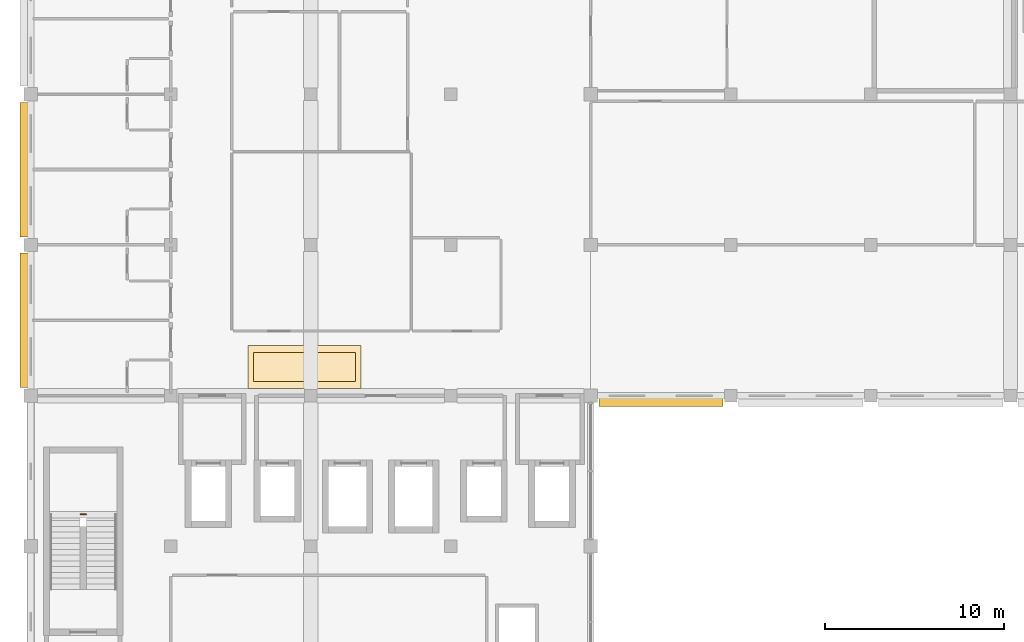
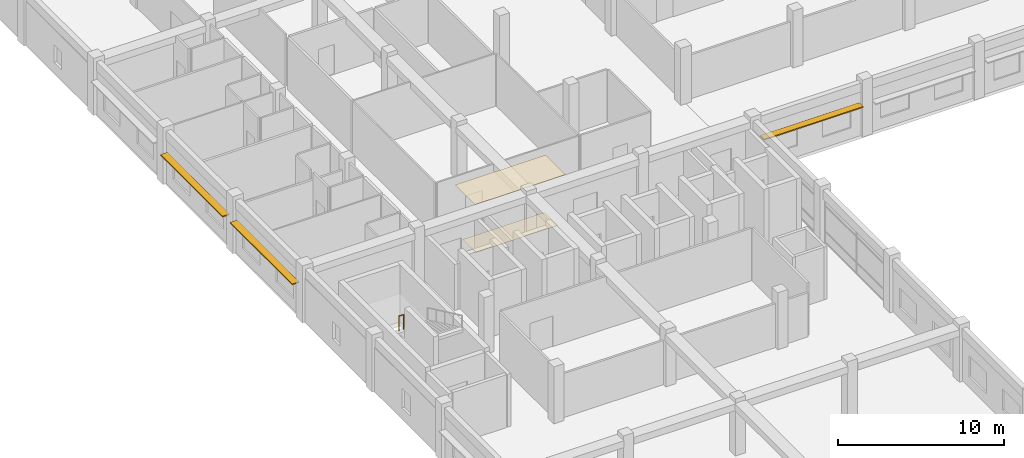
# One storey, part 46 of 53: 3 shading devices, 2 coverings, 1 railing.
"""IFC4 building model written with IfcOpenShell, lengths in metres."""

from ifc_helpers import new_model, si_unit, direction, frame, origin, origin_2d, place, context, subcontext, project, spatial, polyline, rectangle, circle, outline, extrude, material, layer, layer_set, type_object, element, save


model = new_model("IFC4")

# Units and contexts
model_context = context("Model", 3, precision=1e-05, world=origin(), true_north=direction((0.0, 1.0)))
body_context = subcontext(model_context, "Body", "Model", "MODEL_VIEW")
ifc_project = project(units=[si_unit("LENGTHUNIT", "METRE"), si_unit("AREAUNIT", "SQUARE_METRE"), si_unit("VOLUMEUNIT", "CUBIC_METRE"), si_unit("PLANEANGLEUNIT", "RADIAN"), si_unit("MASSUNIT", "GRAM", prefix="KILO"), si_unit("THERMODYNAMICTEMPERATUREUNIT", "KELVIN"), si_unit("POWERUNIT", "WATT")], contexts=[model_context])

# Site, building, storey
site_placement = place(None, origin())
site = spatial("IfcSite", under=ifc_project, at=site_placement, CompositionType="ELEMENT")
building_placement = place(site_placement, origin())
building = spatial("IfcBuilding", under=site, at=building_placement, Name="Srebrne Nadtorze General Hospital", CompositionType="ELEMENT")
storey_placement = place(building_placement, frame((0.0, 0.0, 18.0)))
storey = spatial("IfcBuildingStorey", under=building, at=storey_placement, Name="L04", CompositionType="ELEMENT", Elevation=18.0)

# Covering
ifc_material_1 = material(Name="Medical Vinyl Flooring")
ifc_layer_1 = layer(ifc_material_1, 0.006103515625)
ifc_layer_set_1 = layer_set([ifc_layer_1], Name="Medical Vinyl Flooring")
covering_type_1 = type_object("IfcCoveringType", Name="Antistatic medical vinyl flooring", PredefinedType="FLOORING", material=ifc_layer_set_1)
covering_1_placement = place(storey_placement, origin())
element("IfcCovering", 1, at=covering_1_placement, inside=storey, type_object=covering_type_1, Name="Medical vinyl flooring L04", PredefinedType="FLOORING", context=body_context, shape_type="SweptSolid", body=[
    extrude(outline(polyline([(35.800048828125, 51.199951171875), (41.5, 51.199951171875), (41.5, 52.800048828125), (35.800048828125, 52.800048828125), (35.800048828125, 51.199951171875)])), origin(), (0.0, 0.0, 1.0), 0.006103515625),
])

# Shading devices
ifc_material_2 = material(Name="Anodised Aluminium", Category="aluminium")
ifc_layer_2 = layer(ifc_material_2, 0.080078125)
ifc_layer_set_2 = layer_set([ifc_layer_2], Name="Anodised Aluminium")
shading_device_type = type_object("IfcShadingDeviceType", Name="Hisashi horizontal aluminium sunshade", PredefinedType="JALOUSIE", material=ifc_layer_set_2)
shading_device_placement = place(storey_placement, frame((58.512451171875, 50.0400390625, 2.369873046875), z_axis=(0.0, 0.0, 1.0), x_axis=(1.0, 0.0, 0.0)))
element("IfcShadingDevice", 2, at=shading_device_placement, inside=storey, type_object=shading_device_type, Name="Hisashi horizontal sunshade eave LV-263", PredefinedType="JALOUSIE", context=body_context, shape_type="SweptSolid", body=[
    extrude(rectangle(XDim=6.9150390625, YDim=0.47998046875, at=origin_2d()), origin(), (0.0, 0.0, 1.0), 0.080078125),
])
for number, where, z_axis, x_axis, name in (
    (3, (23.0400390625, 54.60009765625, 2.369873046875), (0.0, 0.0, 1.0), (1.0, 0.0, 0.0), "Hisashi horizontal sunshade eave LV-272"),
    (4, (23.0400390625, 63.0, 2.27001953125), (0.0, 0.0, 1.0), (1.0, 0.0, 0.0), "Hisashi horizontal sunshade eave LV-273"),
):
    element("IfcShadingDevice", number, at=place(storey_placement, frame(where, z_axis=z_axis, x_axis=x_axis)), inside=storey, type_object=shading_device_type, Name=name, PredefinedType="JALOUSIE", context=body_context, shape_type="SweptSolid", body=[
        extrude(rectangle(XDim=0.47998046875, YDim=7.489990234375, at=origin_2d()), origin(), (0.0, 0.0, 1.0), 0.080078125),
    ])

# Covering
ifc_material_3 = material(Name="Acoustic Mineral Ceiling")
ifc_layer_3 = layer(ifc_material_3, 0.014892578125)
ifc_layer_set_3 = layer_set([ifc_layer_3], Name="Acoustic Mineral Ceiling")
covering_type_2 = type_object("IfcCoveringType", Name="Hygienic acoustic ceiling tile", PredefinedType="CEILING", material=ifc_layer_set_3)
covering_2_placement = place(storey_placement, frame((0.0, 0.0, 3.8701171875)))
element("IfcCovering", 5, at=covering_2_placement, inside=storey, type_object=covering_type_2, Name="Acoustic ceiling L04", PredefinedType="CEILING", context=body_context, shape_type="SweptSolid", body=[
    extrude(outline(polyline([(35.5, 50.800048828125), (41.800048828125, 50.800048828125), (41.800048828125, 53.199951171875), (35.5, 53.199951171875), (35.5, 50.800048828125)])), origin(), (0.0, 0.0, 1.0), 0.014892578125),
])

# Railing
ifc_material_4 = material(Name="Stainless Steel 316", Category="steel")
railing_type = type_object("IfcRailingType", Name="Stairwell safety guard 1120", PredefinedType="BALUSTRADE", material=ifc_material_4)
railing_placement = place(storey_placement, frame((26.1650390625, 43.800048828125, 2.10009765625)))
element("IfcRailing", 6, at=railing_placement, inside=storey, type_object=railing_type, Name="Half landing well guard ST-01-L04", PredefinedType="BALUSTRADE", context=body_context, shape_type="SweptSolid", body=[
    extrude(circle(Radius=0.02392578125, at=origin_2d()), frame((0.0, 0.0, 1.09619140625), z_axis=(1.0, 0.0, 0.0), x_axis=(0.0, 1.0, 0.0)), (0.0, 0.0, 1.0), 0.320068359375),
    extrude(circle(Radius=0.02099609375, at=origin_2d()), origin(), (0.0, 0.0, 1.0), 1.072021484375),
    extrude(circle(Radius=0.02099609375, at=origin_2d()), frame((0.320068359375, 0.0, 0.0)), (0.0, 0.0, 1.0), 1.072021484375),
])

save(model, "model.ifc")
